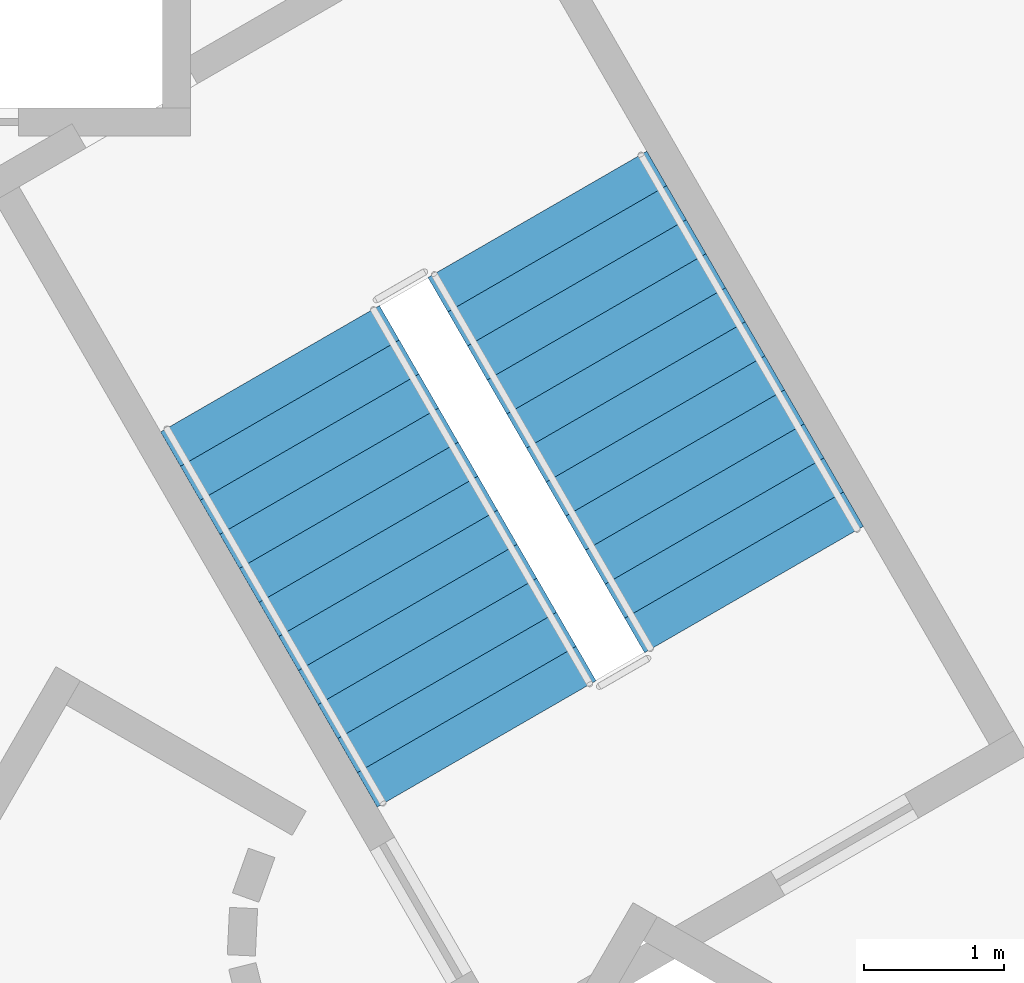
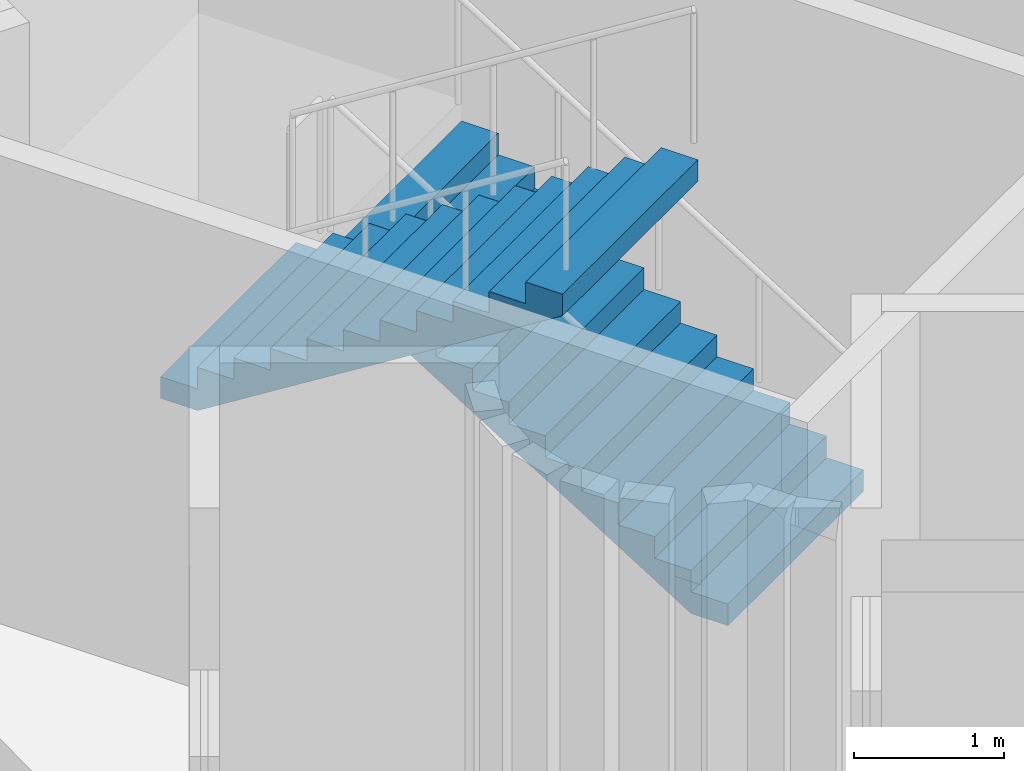
# One storey, part 10 of 11: 2 stair flights, 1 element without a shape of its own.
"""IFC4 building model written with IfcOpenShell, lengths in metres."""

from ifc_helpers import new_model, si_unit, direction, frame, origin, place, context, subcontext, project, spatial, polyline, outline, extrude, material, type_object, element, aggregate, save


model = new_model("IFC4")

# Units and contexts
model_context = context("Model", 3, precision=1e-05, world=origin(), true_north=direction((0.0, 1.0)))
body_context = subcontext(model_context, "Body", "Model", "MODEL_VIEW")
ifc_project = project(units=[si_unit("LENGTHUNIT", "METRE"), si_unit("AREAUNIT", "SQUARE_METRE"), si_unit("VOLUMEUNIT", "CUBIC_METRE"), si_unit("PLANEANGLEUNIT", "RADIAN"), si_unit("MASSUNIT", "GRAM", prefix="KILO")], contexts=[model_context])

# Site, building, storey
site_placement = place(None, origin())
site = spatial("IfcSite", under=ifc_project, at=site_placement, CompositionType="ELEMENT")
building_placement = place(site_placement, origin())
building = spatial("IfcBuilding", under=site, at=building_placement, Name="Entoto Arch Interchange Tower", CompositionType="ELEMENT")
storey_placement = place(building_placement, frame((0.0, 0.0, 194.0)))
storey = spatial("IfcBuildingStorey", under=building, at=storey_placement, Name="L43", CompositionType="ELEMENT", Elevation=194.0)

# Stair, stair flights
ifc_material = material(Name="Concrete C40/50", Category="concrete")
stair_type = type_object("IfcStairType", Name="EXIT STAIR RC 1800", PredefinedType="HALF_TURN_STAIR", material=ifc_material)
stair_placement = place(storey_placement, origin())
stair = element("IfcStair", 1, at=stair_placement, inside=storey, type_object=stair_type, Name="L43 Exit stair NE", PredefinedType="HALF_TURN_STAIR")
stair_flight_type = type_object("IfcStairFlightType", Name="EXIT STAIR FLIGHT RC 1800", PredefinedType="STRAIGHT", material=ifc_material)
stair_flight_1_placement = place(storey_placement, frame((6.7138671875, 4.470947265625, 0.0), z_axis=(0.0, 0.0, 1.0), x_axis=(-0.5, 0.866025403784, 0.0)))
stair_flight_1 = element("IfcStairFlight", 2, at=stair_flight_1_placement, type_object=stair_flight_type, Name="ST-NE flight 1", NumberOfRisers=12, NumberOfTreads=11, PredefinedType="STRAIGHT", RiserHeight=0.175, TreadLength=0.28, context=body_context, shape_type="SweptSolid", body=[
    extrude(outline(polyline([(-0.0029296875, 0.0), (-0.0029296875, 0.175048828125), (0.280029296875, 0.175048828125), (0.280029296875, 0.35009765625), (0.56005859375, 0.35009765625), (0.56005859375, 0.52490234375), (0.840087890625, 0.52490234375), (0.840087890625, 0.699951171875), (1.1201171875, 0.699951171875), (1.1201171875, 0.875), (1.39990234375, 0.875), (1.39990234375, 1.050048828125), (1.679931640625, 1.050048828125), (1.679931640625, 1.22509765625), (1.9599609375, 1.22509765625), (1.9599609375, 1.39990234375), (2.239990234375, 1.39990234375), (2.239990234375, 1.574951171875), (2.52001953125, 1.574951171875), (2.52001953125, 1.75), (2.800048828125, 1.75), (2.800048828125, 1.925048828125), (3.080078125, 1.925048828125), (3.0830078125, 1.925048828125), (3.0830078125, 1.75), (0.28271484375, 0.0), (-0.0029296875, 0.0)])), frame((0.0, 0.89990234375, 0.0), z_axis=(0.0, -1.0, 0.0), x_axis=(1.0, 0.0, 0.0)), (0.0, 0.0, 1.0), 1.800048828125),
])
stair_flight_2_placement = place(storey_placement, frame((3.268798828125, 6.038330078125, 2.10009765625), z_axis=(0.0, 0.0, 1.0), x_axis=(0.5, -0.866025403784, 0.0)))
stair_flight_2 = element("IfcStairFlight", 3, at=stair_flight_2_placement, type_object=stair_flight_type, Name="ST-NE flight 2", NumberOfRisers=12, NumberOfTreads=11, PredefinedType="STRAIGHT", RiserHeight=0.175, TreadLength=0.28, context=body_context, shape_type="SweptSolid", body=[
    extrude(outline(polyline([(-0.0029296875, 0.0), (-0.0029296875, 0.175048828125), (0.280029296875, 0.175048828125), (0.280029296875, 0.35009765625), (0.56005859375, 0.35009765625), (0.56005859375, 0.52490234375), (0.840087890625, 0.52490234375), (0.840087890625, 0.699951171875), (1.1201171875, 0.699951171875), (1.1201171875, 0.875), (1.39990234375, 0.875), (1.39990234375, 1.050048828125), (1.679931640625, 1.050048828125), (1.679931640625, 1.22509765625), (1.9599609375, 1.22509765625), (1.9599609375, 1.39990234375), (2.239990234375, 1.39990234375), (2.239990234375, 1.574951171875), (2.52001953125, 1.574951171875), (2.52001953125, 1.75), (2.800048828125, 1.75), (2.800048828125, 1.925048828125), (3.080078125, 1.925048828125), (3.0830078125, 1.925048828125), (3.0830078125, 1.75), (0.28271484375, 0.0), (-0.0029296875, 0.0)])), frame((0.0, 0.89990234375, 0.0), z_axis=(0.0, -1.0, 0.0), x_axis=(1.0, 0.0, 0.0)), (0.0, 0.0, 1.0), 1.800048828125),
])
aggregate(stair, [stair_flight_1, stair_flight_2])

save(model, "model.ifc")
